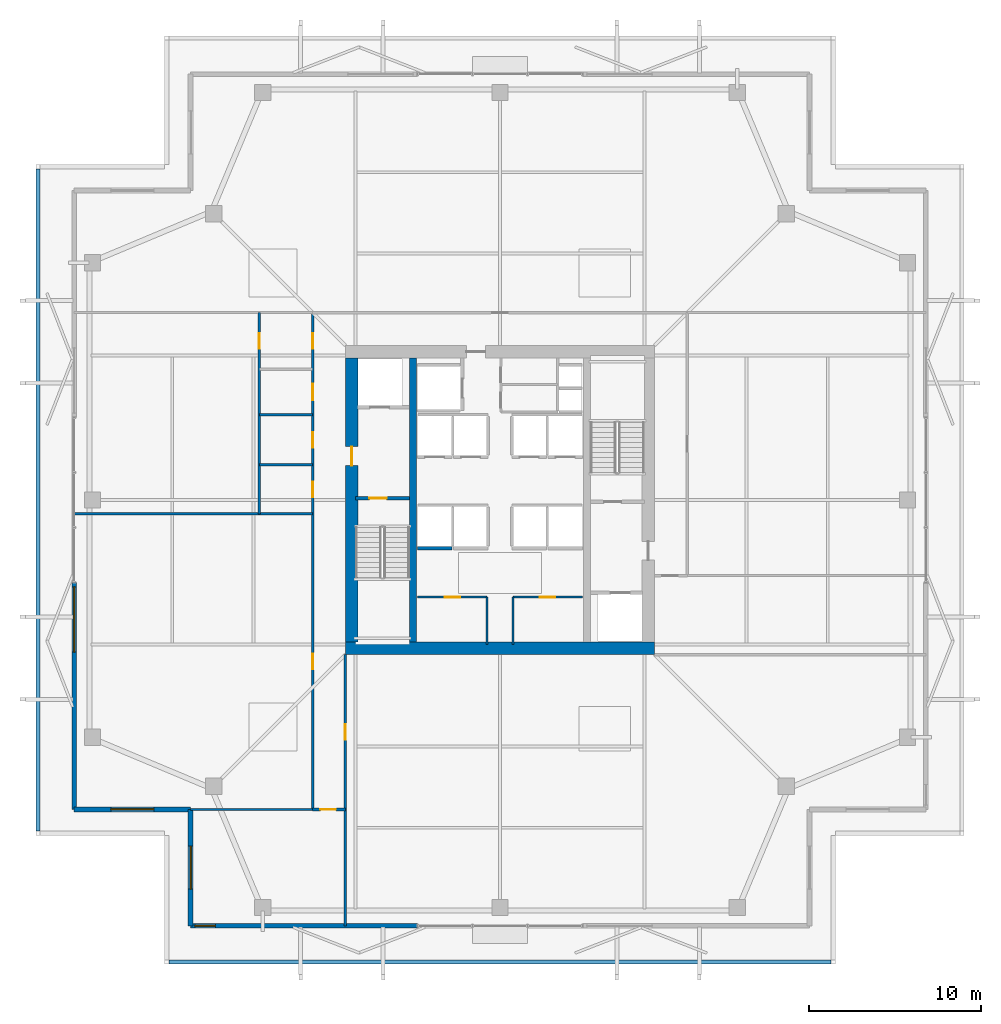
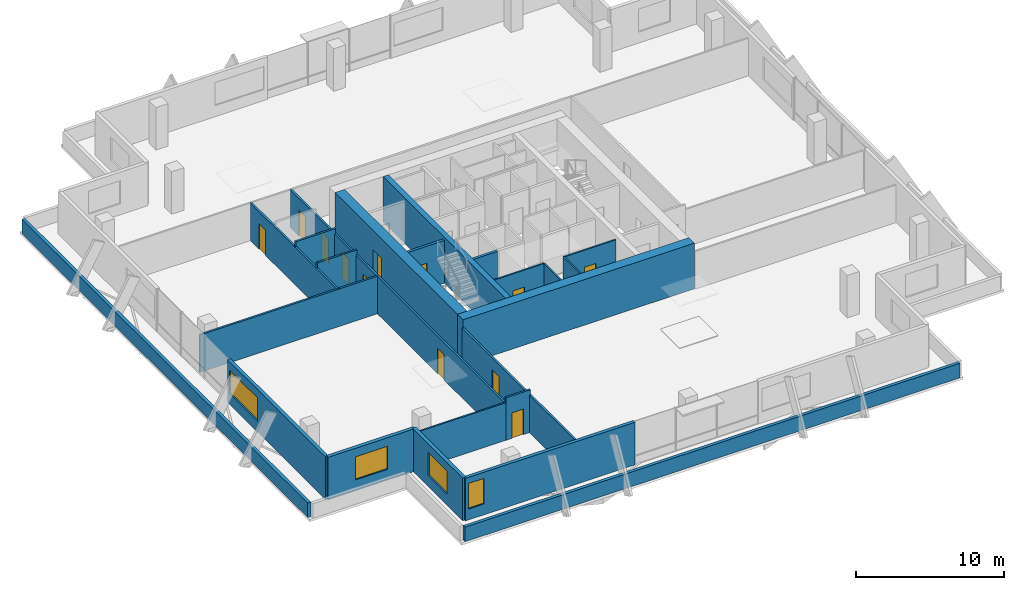
# One storey, part 12 of 17: 23 walls, 12 doors, 4 windows, 16 openings.
"""IFC4 building model written with IfcOpenShell, lengths in metres."""

from ifc_helpers import new_model, si_unit, direction, frame, frame_2d, origin, place, context, subcontext, project, spatial, rectangle, extrude, material, layer, layer_set, type_object, element, fill, save


model = new_model("IFC4")

# Units and contexts
model_context = context("Model", 3, precision=1e-05, world=origin(), true_north=direction((0.0, 1.0)))
body_context = subcontext(model_context, "Body", "Model", "MODEL_VIEW")
ifc_project = project(units=[si_unit("LENGTHUNIT", "METRE"), si_unit("AREAUNIT", "SQUARE_METRE"), si_unit("VOLUMEUNIT", "CUBIC_METRE"), si_unit("PLANEANGLEUNIT", "RADIAN"), si_unit("MASSUNIT", "GRAM", prefix="KILO")], contexts=[model_context])

# Site, building, storey
site_placement = place(None, origin())
site = spatial("IfcSite", under=ifc_project, at=site_placement, CompositionType="ELEMENT")
building_placement = place(site_placement, origin())
building = spatial("IfcBuilding", under=site, at=building_placement, Name="Belovzor Exchange Tower", CompositionType="ELEMENT")
storey_placement = place(building_placement, frame((0.0, 0.0, 246.60009765625)))
storey = spatial("IfcBuildingStorey", under=building, at=storey_placement, Name="L61", CompositionType="ELEMENT", Elevation=246.60009765625)

# Wall
ifc_material_1 = material(Name="Acoustic Plasterboard on Galvanised Studs", Category="gypsum")
ifc_layer_1 = layer(ifc_material_1, 0.1201171875)
ifc_layer_set_1 = layer_set([ifc_layer_1], Name="Acoustic Plasterboard on Galvanised Studs")
wall_type_1 = type_object("IfcWallType", Name="Acoustic Double-Stud Partition Wall 120", PredefinedType="PARTITIONING", material=ifc_layer_set_1)
wall_1_placement = place(storey_placement, frame((10.800048828125, 10.800048828125, 0.0), z_axis=(0.0, 0.0, 1.0), x_axis=(1.0, 0.0, 0.0)))
element("IfcWall", 1, at=wall_1_placement, inside=storey, type_object=wall_type_1, Name="W-P120 Partition Wall W-L61-SWS", PredefinedType="PARTITIONING", context=body_context, shape_type="SweptSolid", body=[
    extrude(rectangle(XDim=7.099853515625, YDim=0.1201171875, at=frame_2d((3.5498046875, 0.0))), origin(), (0.0, 0.0, 1.0), 3.0849609375),
])

# Wall, opening, door
ifc_material_2 = material(Name="Fire-Rated Plasterboard on Galvanised Studs", Category="gypsum")
ifc_layer_2 = layer(ifc_material_2, 0.1201171875)
ifc_layer_set_2 = layer_set([ifc_layer_2], Name="Fire-Rated Plasterboard on Galvanised Studs")
wall_type_2 = type_object("IfcWallType", Name="Fire-Rated Double-Stud Partition Wall 120", PredefinedType="PARTITIONING", material=ifc_layer_set_2)
wall_2_placement = place(storey_placement, frame((24.0, 23.14990234375, 0.0), z_axis=(0.0, 0.0, 1.0), x_axis=(1.0, 0.0, 0.0)))
wall_2 = element("IfcWall", 2, at=wall_2_placement, inside=storey, type_object=wall_type_2, Name="W-P120F Partition Wall W-CRL-L61-WN", PredefinedType="PARTITIONING", context=body_context, shape_type="SweptSolid", body=[
    extrude(rectangle(XDim=4.050048828125, YDim=0.1201171875, at=frame_2d((2.02490234375, 0.0))), origin(), (0.0, 0.0, 1.0), 3.5),
])
opening_1_placement = place(wall_2_placement, frame((1.574951171875, 0.0, 0.0)))
opening_1 = element("IfcOpeningElement", 3, at=opening_1_placement, cuts=wall_2, Name="Opening D-FD60-090", PredefinedType="OPENING", context=body_context, shape_type="SweptSolid", body=[
    extrude(rectangle(XDim=0.89990234375, YDim=2.10009765625, at=frame_2d((0.449951171875, 1.050048828125))), frame((0.0, 0.070068359375, 0.0), z_axis=(0.0, -1.0, 0.0), x_axis=(1.0, 0.0, 0.0)), (0.0, 0.0, 1.0), 0.14013671875),
])
ifc_material_3 = material(Name="Acoustic Timber Fire Leaf", Category="wood")
door_type_1 = type_object("IfcDoorType", Name="Core Service & Restroom Fire Door 900x2100", OperationType="NOTDEFINED", PredefinedType="DOOR", material=ifc_material_3)
door_1_placement = place(opening_1_placement, origin())
door_1 = element("IfcDoor", 4, at=door_1_placement, inside=storey, type_object=door_type_1, Name="D-FD60-090 Core Service & Restroom Fire Door 900x2100", OperationType="SINGLE_SWING_LEFT", OverallHeight=2.10009765625, OverallWidth=0.89990234375, PredefinedType="DOOR", context=body_context, shape_type="SweptSolid", body=[
    extrude(rectangle(XDim=0.89990234375, YDim=2.10009765625, at=frame_2d((0.449951171875, 1.050048828125))), frame((0.0, 0.02490234375, 0.0), z_axis=(0.0, -1.0, 0.0), x_axis=(1.0, 0.0, 0.0)), (0.0, 0.0, 1.0), 0.050048828125),
])
fill(opening_1, door_1)

# Wall
wall_3_placement = place(storey_placement, frame((28.050048828125, 20.39990234375, 0.0), z_axis=(0.0, 0.0, 1.0), x_axis=(0.0, 1.0, 0.0)))
element("IfcWall", 5, at=wall_3_placement, inside=storey, type_object=wall_type_2, Name="W-P120F Partition Wall W-CRL-L61-WE", PredefinedType="PARTITIONING", context=body_context, shape_type="SweptSolid", body=[
    extrude(rectangle(XDim=2.75, YDim=0.1201171875, at=frame_2d((1.375, 0.0))), origin(), (0.0, 0.0, 1.0), 3.5),
])

# Wall, opening, door
wall_4_placement = place(storey_placement, frame((29.550048828125, 23.14990234375, 0.0), z_axis=(0.0, 0.0, 1.0), x_axis=(1.0, 0.0, 0.0)))
wall_4 = element("IfcWall", 6, at=wall_4_placement, inside=storey, type_object=wall_type_2, Name="W-P120F Partition Wall W-CRL-L61-EN", PredefinedType="PARTITIONING", context=body_context, shape_type="SweptSolid", body=[
    extrude(rectangle(XDim=4.050048828125, YDim=0.1201171875, at=frame_2d((2.02490234375, 0.0))), origin(), (0.0, 0.0, 1.0), 3.5),
])
opening_2_placement = place(wall_4_placement, frame((1.574951171875, 0.0, 0.0)))
opening_2 = element("IfcOpeningElement", 7, at=opening_2_placement, cuts=wall_4, Name="Opening D-FD60-090", PredefinedType="OPENING", context=body_context, shape_type="SweptSolid", body=[
    extrude(rectangle(XDim=0.89990234375, YDim=2.10009765625, at=frame_2d((0.449951171875, 1.050048828125))), frame((0.0, 0.070068359375, 0.0), z_axis=(0.0, -1.0, 0.0), x_axis=(1.0, 0.0, 0.0)), (0.0, 0.0, 1.0), 0.14013671875),
])
door_2_placement = place(opening_2_placement, origin())
door_2 = element("IfcDoor", 8, at=door_2_placement, inside=storey, type_object=door_type_1, Name="D-FD60-090 Core Service & Restroom Fire Door 900x2100", OperationType="SINGLE_SWING_RIGHT", OverallHeight=2.10009765625, OverallWidth=0.89990234375, PredefinedType="DOOR", context=body_context, shape_type="SweptSolid", body=[
    extrude(rectangle(XDim=0.89990234375, YDim=2.10009765625, at=frame_2d((0.449951171875, 1.050048828125))), frame((0.0, 0.02490234375, 0.0), z_axis=(0.0, -1.0, 0.0), x_axis=(1.0, 0.0, 0.0)), (0.0, 0.0, 1.0), 0.050048828125),
])
fill(opening_2, door_2)

# Wall
wall_5_placement = place(storey_placement, frame((29.550048828125, 20.39990234375, 0.0), z_axis=(0.0, 0.0, 1.0), x_axis=(0.0, 1.0, 0.0)))
element("IfcWall", 9, at=wall_5_placement, inside=storey, type_object=wall_type_2, Name="W-P120F Partition Wall W-CRL-L61-EW", PredefinedType="PARTITIONING", context=body_context, shape_type="SweptSolid", body=[
    extrude(rectangle(XDim=2.75, YDim=0.1201171875, at=frame_2d((1.375, 0.0))), origin(), (0.0, 0.0, 1.0), 3.5),
])

# Wall, opening, door
ifc_material_4 = material(Name="Fire-Rated Gypsum Block and Mineral Wool", Category="gypsum")
ifc_layer_3 = layer(ifc_material_4, 0.14990234375)
ifc_layer_set_3 = layer_set([ifc_layer_3], Name="Fire-Rated Gypsum Block and Mineral Wool")
wall_type_3 = type_object("IfcWallType", Name="Fire-Rated Gypsum Block Corridor Wall 150", PredefinedType="PARTITIONING", material=ifc_layer_set_3)
wall_6_placement = place(storey_placement, frame((14.800048828125, 28.0, 0.0), z_axis=(0.0, 0.0, 1.0), x_axis=(0.0, 1.0, 0.0)))
wall_6 = element("IfcWall", 10, at=wall_6_placement, inside=storey, type_object=wall_type_3, Name="W-P150 Partition Wall W-L61-WCW", PredefinedType="PARTITIONING", context=body_context, shape_type="SweptSolid", body=[
    extrude(rectangle(XDim=11.699951171875, YDim=0.14990234375, at=frame_2d((5.85009765625, 0.0))), origin(), (0.0, 0.0, 1.0), 3.0849609375),
])
opening_3_placement = place(wall_6_placement, frame((9.60009765625, 0.0, 0.0)))
opening_3 = element("IfcOpeningElement", 11, at=opening_3_placement, cuts=wall_6, Name="Opening D-INT-090", PredefinedType="OPENING", context=body_context, shape_type="SweptSolid", body=[
    extrude(rectangle(XDim=0.89990234375, YDim=2.10009765625, at=frame_2d((0.449951171875, 1.050048828125))), frame((0.0, 0.0849609375, 0.0), z_axis=(0.0, -1.0, 0.0), x_axis=(1.0, 0.0, 0.0)), (0.0, 0.0, 1.0), 0.169921875),
])
ifc_material_5 = material(Name="Veneered Hardwood Acoustic Leaf", Category="wood")
door_type_2 = type_object("IfcDoorType", Name="Trading Suite Acoustic Single Door 900x2100", OperationType="NOTDEFINED", PredefinedType="DOOR", material=ifc_material_5)
door_3_placement = place(opening_3_placement, origin())
door_3 = element("IfcDoor", 12, at=door_3_placement, inside=storey, type_object=door_type_2, Name="D-INT-090 Trading Suite Acoustic Single Door 900x2100", OperationType="SINGLE_SWING_LEFT", OverallHeight=2.10009765625, OverallWidth=0.89990234375, PredefinedType="DOOR", context=body_context, shape_type="SweptSolid", body=[
    extrude(rectangle(XDim=0.89990234375, YDim=2.10009765625, at=frame_2d((0.449951171875, 1.050048828125))), frame((0.0, 0.02490234375, 0.0), z_axis=(0.0, -1.0, 0.0), x_axis=(1.0, 0.0, 0.0)), (0.0, 0.0, 1.0), 0.050048828125),
])
fill(opening_3, door_3)

# Walls
wall_7_placement = place(storey_placement, frame((4.030029296875, 28.0, 0.0), z_axis=(0.0, 0.0, 1.0), x_axis=(1.0, 0.0, 0.0)))
element("IfcWall", 13, at=wall_7_placement, inside=storey, type_object=wall_type_3, Name="W-P150 Partition Wall W-L61-WCS", PredefinedType="PARTITIONING", context=body_context, shape_type="SweptSolid", body=[
    extrude(rectangle(XDim=13.869873046875, YDim=0.14990234375, at=frame_2d((6.93505859375, 0.0))), origin(), (0.0, 0.0, 1.0), 3.0849609375),
])
for number, where, z_axis, x_axis, name in (
    (14, (14.800048828125, 30.85009765625, 0.0), (0.0, 0.0, 1.0), (1.0, 0.0, 0.0), "W-P150 Partition Wall W-L61-WCD1"),
    (15, (14.800048828125, 33.75, 0.0), (0.0, 0.0, 1.0), (1.0, 0.0, 0.0), "W-P150 Partition Wall W-L61-WCD2"),
):
    element("IfcWall", number, at=place(storey_placement, frame(where, z_axis=z_axis, x_axis=x_axis)), inside=storey, type_object=wall_type_3, Name=name, PredefinedType="PARTITIONING", context=body_context, shape_type="SweptSolid", body=[
        extrude(rectangle(XDim=3.099853515625, YDim=0.14990234375, at=frame_2d((1.5498046875, 0.0))), origin(), (0.0, 0.0, 1.0), 3.5),
    ])

# Wall, opening, door
wall_8_placement = place(storey_placement, frame((17.89990234375, 10.800048828125, 0.0), z_axis=(0.0, 0.0, 1.0), x_axis=(1.0, 0.0, 0.0)))
wall_8 = element("IfcWall", 16, at=wall_8_placement, inside=storey, type_object=wall_type_3, Name="W-P150 Partition Wall W-L61-CW-END", PredefinedType="PARTITIONING", context=body_context, shape_type="SweptSolid", body=[
    extrude(rectangle(XDim=1.900146484375, YDim=0.14990234375, at=frame_2d((0.9501953125, 0.0))), origin(), (0.0, 0.0, 1.0), 3.5),
])
opening_4_placement = place(wall_8_placement, frame((0.449951171875, 0.0, 0.0)))
opening_4 = element("IfcOpeningElement", 17, at=opening_4_placement, cuts=wall_8, Name="Opening D-FD60-090", PredefinedType="OPENING", context=body_context, shape_type="SweptSolid", body=[
    extrude(rectangle(XDim=0.89990234375, YDim=2.10009765625, at=frame_2d((0.449951171875, 1.050048828125))), frame((0.0, 0.0849609375, 0.0), z_axis=(0.0, -1.0, 0.0), x_axis=(1.0, 0.0, 0.0)), (0.0, 0.0, 1.0), 0.169921875),
])
door_4_placement = place(opening_4_placement, origin())
door_4 = element("IfcDoor", 18, at=door_4_placement, inside=storey, type_object=door_type_1, Name="D-FD60-090 Core Service & Restroom Fire Door 900x2100", OperationType="SINGLE_SWING_LEFT", OverallHeight=2.10009765625, OverallWidth=0.89990234375, PredefinedType="DOOR", context=body_context, shape_type="SweptSolid", body=[
    extrude(rectangle(XDim=0.89990234375, YDim=2.10009765625, at=frame_2d((0.449951171875, 1.050048828125))), frame((0.0, 0.02490234375, 0.0), z_axis=(0.0, -1.0, 0.0), x_axis=(1.0, 0.0, 0.0)), (0.0, 0.0, 1.0), 0.050048828125),
])
fill(opening_4, door_4)

wall_9_placement = place(storey_placement, frame((19.800048828125, 4.030029296875, 0.0), z_axis=(0.0, 0.0, 1.0), x_axis=(0.0, 1.0, 0.0)))
wall_9 = element("IfcWall", 19, at=wall_9_placement, inside=storey, type_object=wall_type_3, Name="W-P150 Partition Wall W-L61-CW-E", PredefinedType="PARTITIONING", context=body_context, shape_type="SweptSolid", body=[
    extrude(rectangle(XDim=15.77001953125, YDim=0.14990234375, at=frame_2d((7.885009765625, 0.0))), origin(), (0.0, 0.0, 1.0), 3.0849609375),
])
opening_5_placement = place(wall_9_placement, frame((10.820068359375, 0.0, 0.0)))
opening_5 = element("IfcOpeningElement", 20, at=opening_5_placement, cuts=wall_9, Name="Opening D-FD60-090", PredefinedType="OPENING", context=body_context, shape_type="SweptSolid", body=[
    extrude(rectangle(XDim=0.89990234375, YDim=2.10009765625, at=frame_2d((0.449951171875, 1.050048828125))), frame((0.0, 0.0849609375, 0.0), z_axis=(0.0, -1.0, 0.0), x_axis=(1.0, 0.0, 0.0)), (0.0, 0.0, 1.0), 0.169921875),
])
door_5_placement = place(opening_5_placement, origin())
door_5 = element("IfcDoor", 21, at=door_5_placement, inside=storey, type_object=door_type_1, Name="D-FD60-090 Core Service & Restroom Fire Door 900x2100", OperationType="SINGLE_SWING_RIGHT", OverallHeight=2.10009765625, OverallWidth=0.89990234375, PredefinedType="DOOR", context=body_context, shape_type="SweptSolid", body=[
    extrude(rectangle(XDim=0.89990234375, YDim=2.10009765625, at=frame_2d((0.449951171875, 1.050048828125))), frame((0.0, 0.02490234375, 0.0), z_axis=(0.0, -1.0, 0.0), x_axis=(1.0, 0.0, 0.0)), (0.0, 0.0, 1.0), 0.050048828125),
])
fill(opening_5, door_5)

# Wall, openings, doors
wall_10_placement = place(storey_placement, frame((17.89990234375, 10.800048828125, 0.0), z_axis=(0.0, 0.0, 1.0), x_axis=(0.0, 1.0, 0.0)))
wall_10 = element("IfcWall", 22, at=wall_10_placement, inside=storey, type_object=wall_type_3, Name="W-P150 Partition Wall W-L61-CW", PredefinedType="PARTITIONING", context=body_context, shape_type="SweptSolid", body=[
    extrude(rectangle(XDim=28.89990234375, YDim=0.14990234375, at=frame_2d((14.449951171875, 0.0))), origin(), (0.0, 0.0, 1.0), 3.0849609375),
])
opening_6_placement = place(wall_10_placement, frame((8.14990234375, 0.0, 0.0)))
opening_6 = element("IfcOpeningElement", 23, at=opening_6_placement, cuts=wall_10, Name="Opening D-INT-090", PredefinedType="OPENING", context=body_context, shape_type="SweptSolid", body=[
    extrude(rectangle(XDim=0.89990234375, YDim=2.10009765625, at=frame_2d((0.449951171875, 1.050048828125))), frame((0.0, 0.0849609375, 0.0), z_axis=(0.0, -1.0, 0.0), x_axis=(1.0, 0.0, 0.0)), (0.0, 0.0, 1.0), 0.169921875),
])
opening_7_placement = place(wall_10_placement, frame((18.14990234375, 0.0, 0.0)))
opening_7 = element("IfcOpeningElement", 24, at=opening_7_placement, cuts=wall_10, Name="Opening D-FD60-090", PredefinedType="OPENING", context=body_context, shape_type="SweptSolid", body=[
    extrude(rectangle(XDim=0.89990234375, YDim=2.10009765625, at=frame_2d((0.449951171875, 1.050048828125))), frame((0.0, 0.0849609375, 0.0), z_axis=(0.0, -1.0, 0.0), x_axis=(1.0, 0.0, 0.0)), (0.0, 0.0, 1.0), 0.169921875),
])
opening_8_placement = place(wall_10_placement, frame((21.050048828125, 0.0, 0.0)))
opening_8 = element("IfcOpeningElement", 25, at=opening_8_placement, cuts=wall_10, Name="Opening D-FD60-090", PredefinedType="OPENING", context=body_context, shape_type="SweptSolid", body=[
    extrude(rectangle(XDim=0.89990234375, YDim=2.10009765625, at=frame_2d((0.449951171875, 1.050048828125))), frame((0.0, 0.0849609375, 0.0), z_axis=(0.0, -1.0, 0.0), x_axis=(1.0, 0.0, 0.0)), (0.0, 0.0, 1.0), 0.169921875),
])
opening_9_placement = place(wall_10_placement, frame((23.800048828125, 0.0, 0.0)))
opening_9 = element("IfcOpeningElement", 26, at=opening_9_placement, cuts=wall_10, Name="Opening D-FD60-095", PredefinedType="OPENING", context=body_context, shape_type="SweptSolid", body=[
    extrude(rectangle(XDim=0.949951171875, YDim=2.10009765625, at=frame_2d((0.47509765625, 1.050048828125))), frame((0.0, 0.0849609375, 0.0), z_axis=(0.0, -1.0, 0.0), x_axis=(1.0, 0.0, 0.0)), (0.0, 0.0, 1.0), 0.169921875),
])
opening_10_placement = place(wall_10_placement, frame((26.800048828125, 0.0, 0.0)))
opening_10 = element("IfcOpeningElement", 27, at=opening_10_placement, cuts=wall_10, Name="Opening D-FD60-090", PredefinedType="OPENING", context=body_context, shape_type="SweptSolid", body=[
    extrude(rectangle(XDim=0.89990234375, YDim=2.10009765625, at=frame_2d((0.449951171875, 1.050048828125))), frame((0.0, 0.0849609375, 0.0), z_axis=(0.0, -1.0, 0.0), x_axis=(1.0, 0.0, 0.0)), (0.0, 0.0, 1.0), 0.169921875),
])
ifc_material_6 = material(Name="Moisture-Resistant Timber Fire Leaf", Category="wood")
door_type_3 = type_object("IfcDoorType", Name="Accessible Restroom Wide Fire Door 950x2100", OperationType="NOTDEFINED", PredefinedType="DOOR", material=ifc_material_6)
door_6_placement = place(opening_9_placement, origin())
door_6 = element("IfcDoor", 28, at=door_6_placement, inside=storey, type_object=door_type_3, Name="D-FD60-095 Accessible Restroom Wide Fire Door 950x2100", OperationType="SINGLE_SWING_LEFT", OverallHeight=2.10009765625, OverallWidth=0.949951171875, PredefinedType="DOOR", context=body_context, shape_type="SweptSolid", body=[
    extrude(rectangle(XDim=0.949951171875, YDim=2.10009765625, at=frame_2d((0.47509765625, 1.050048828125))), frame((0.0, 0.02490234375, 0.0), z_axis=(0.0, -1.0, 0.0), x_axis=(1.0, 0.0, 0.0)), (0.0, 0.0, 1.0), 0.050048828125),
])
fill(opening_9, door_6)
door_7_placement = place(opening_7_placement, origin())
door_7 = element("IfcDoor", 29, at=door_7_placement, inside=storey, type_object=door_type_1, Name="D-FD60-090 Core Service & Restroom Fire Door 900x2100", OperationType="SINGLE_SWING_LEFT", OverallHeight=2.10009765625, OverallWidth=0.89990234375, PredefinedType="DOOR", context=body_context, shape_type="SweptSolid", body=[
    extrude(rectangle(XDim=0.89990234375, YDim=2.10009765625, at=frame_2d((0.449951171875, 1.050048828125))), frame((0.0, 0.02490234375, 0.0), z_axis=(0.0, -1.0, 0.0), x_axis=(1.0, 0.0, 0.0)), (0.0, 0.0, 1.0), 0.050048828125),
])
fill(opening_7, door_7)
door_8_placement = place(opening_8_placement, origin())
door_8 = element("IfcDoor", 30, at=door_8_placement, inside=storey, type_object=door_type_1, Name="D-FD60-090 Core Service & Restroom Fire Door 900x2100", OperationType="SINGLE_SWING_RIGHT", OverallHeight=2.10009765625, OverallWidth=0.89990234375, PredefinedType="DOOR", context=body_context, shape_type="SweptSolid", body=[
    extrude(rectangle(XDim=0.89990234375, YDim=2.10009765625, at=frame_2d((0.449951171875, 1.050048828125))), frame((0.0, 0.02490234375, 0.0), z_axis=(0.0, -1.0, 0.0), x_axis=(1.0, 0.0, 0.0)), (0.0, 0.0, 1.0), 0.050048828125),
])
fill(opening_8, door_8)
door_9_placement = place(opening_10_placement, origin())
door_9 = element("IfcDoor", 31, at=door_9_placement, inside=storey, type_object=door_type_1, Name="D-FD60-090 Core Service & Restroom Fire Door 900x2100", OperationType="SINGLE_SWING_LEFT", OverallHeight=2.10009765625, OverallWidth=0.89990234375, PredefinedType="DOOR", context=body_context, shape_type="SweptSolid", body=[
    extrude(rectangle(XDim=0.89990234375, YDim=2.10009765625, at=frame_2d((0.449951171875, 1.050048828125))), frame((0.0, 0.02490234375, 0.0), z_axis=(0.0, -1.0, 0.0), x_axis=(1.0, 0.0, 0.0)), (0.0, 0.0, 1.0), 0.050048828125),
])
fill(opening_10, door_9)
door_10_placement = place(opening_6_placement, origin())
door_10 = element("IfcDoor", 32, at=door_10_placement, inside=storey, type_object=door_type_2, Name="D-INT-090 Trading Suite Acoustic Single Door 900x2100", OperationType="SINGLE_SWING_RIGHT", OverallHeight=2.10009765625, OverallWidth=0.89990234375, PredefinedType="DOOR", context=body_context, shape_type="SweptSolid", body=[
    extrude(rectangle(XDim=0.89990234375, YDim=2.10009765625, at=frame_2d((0.449951171875, 1.050048828125))), frame((0.0, 0.02490234375, 0.0), z_axis=(0.0, -1.0, 0.0), x_axis=(1.0, 0.0, 0.0)), (0.0, 0.0, 1.0), 0.050048828125),
])
fill(opening_6, door_10)

# Wall, opening, window
ifc_material_7 = material(Name="Precast concrete C40/50", Category="concrete")
ifc_layer_4 = layer(ifc_material_7, 0.280029296875)
ifc_layer_set_4 = layer_set([ifc_layer_4], Name="Precast concrete C40/50")
wall_type_4 = type_object("IfcWallType", Name="Precast Concrete Notched Corner Frame Wall 280", PredefinedType="SOLIDWALL", material=ifc_layer_set_4)
wall_11_placement = place(storey_placement, frame((10.800048828125, 4.030029296875, 0.0), z_axis=(0.0, 0.0, 1.0), x_axis=(0.0, 1.0, 0.0)))
wall_11 = element("IfcWall", 33, at=wall_11_placement, inside=storey, type_object=wall_type_4, Name="W-CRN280 Precast Concrete Notched Corner Frame Wall 280 L61", PredefinedType="SOLIDWALL", context=body_context, shape_type="SweptSolid", body=[
    extrude(rectangle(XDim=6.77001953125, YDim=0.280029296875, at=frame_2d((3.385009765625, 0.0))), origin(), (0.0, 0.0, 1.0), 3.5),
])
opening_11_placement = place(wall_11_placement, frame((2.135009765625, 0.0, 0.89990234375)))
opening_11 = element("IfcOpeningElement", 34, at=opening_11_placement, cuts=wall_11, Name="Opening WN-CRN250", PredefinedType="OPENING", context=body_context, shape_type="SweptSolid", body=[
    extrude(rectangle(XDim=2.5, YDim=1.89990234375, at=frame_2d((1.25, 0.949951171875))), frame((0.0, 0.14990234375, 0.0), z_axis=(0.0, -1.0, 0.0), x_axis=(1.0, 0.0, 0.0)), (0.0, 0.0, 1.0), 0.300048828125),
])
ifc_material_8 = material(Name="Thermally Broken Aluminium and Triple Glazing", Category="aluminium")
window_type_1 = type_object("IfcWindowType", Name="Streamline Moderne Corner Wrap Ribbon Window 2500x1900", PartitioningType="SINGLE_PANEL", PredefinedType="WINDOW", material=ifc_material_8)
window_1_placement = place(opening_11_placement, origin())
window_1 = element("IfcWindow", 35, at=window_1_placement, inside=storey, type_object=window_type_1, Name="WN-CRN250 Streamline Moderne Corner Wrap Ribbon Window 2500x1900", OverallHeight=1.89990234375, OverallWidth=2.5, PartitioningType="SINGLE_PANEL", PredefinedType="WINDOW", context=body_context, shape_type="SweptSolid", body=[
    extrude(rectangle(XDim=2.5, YDim=1.89990234375, at=frame_2d((1.25, 0.949951171875))), frame((0.0, 0.030029296875, 0.0), z_axis=(0.0, -1.0, 0.0), x_axis=(1.0, 0.0, 0.0)), (0.0, 0.0, 1.0), 0.06005859375),
])
fill(opening_11, window_1)

wall_12_placement = place(storey_placement, frame((10.800048828125, 10.800048828125, 0.0), z_axis=(0.0, 0.0, 1.0), x_axis=(-1.0, 0.0, 0.0)))
wall_12 = element("IfcWall", 36, at=wall_12_placement, inside=storey, type_object=wall_type_4, Name="W-CRN280 Precast Concrete Notched Corner Frame Wall 280 L61", PredefinedType="SOLIDWALL", context=body_context, shape_type="SweptSolid", body=[
    extrude(rectangle(XDim=6.77001953125, YDim=0.280029296875, at=frame_2d((3.385009765625, 0.0))), origin(), (0.0, 0.0, 1.0), 3.5),
])
opening_12_placement = place(wall_12_placement, frame((2.135009765625, 0.0, 0.89990234375)))
opening_12 = element("IfcOpeningElement", 37, at=opening_12_placement, cuts=wall_12, Name="Opening WN-CRN250", PredefinedType="OPENING", context=body_context, shape_type="SweptSolid", body=[
    extrude(rectangle(XDim=2.5, YDim=1.89990234375, at=frame_2d((1.25, 0.949951171875))), frame((0.0, 0.14990234375, 0.0), z_axis=(0.0, -1.0, 0.0), x_axis=(1.0, 0.0, 0.0)), (0.0, 0.0, 1.0), 0.300048828125),
])
window_2_placement = place(opening_12_placement, origin())
window_2 = element("IfcWindow", 38, at=window_2_placement, inside=storey, type_object=window_type_1, Name="WN-CRN250 Streamline Moderne Corner Wrap Ribbon Window 2500x1900", OverallHeight=1.89990234375, OverallWidth=2.5, PartitioningType="SINGLE_PANEL", PredefinedType="WINDOW", context=body_context, shape_type="SweptSolid", body=[
    extrude(rectangle(XDim=2.5, YDim=1.89990234375, at=frame_2d((1.25, 0.949951171875))), frame((0.0, 0.030029296875, 0.0), z_axis=(0.0, -1.0, 0.0), x_axis=(1.0, 0.0, 0.0)), (0.0, 0.0, 1.0), 0.06005859375),
])
fill(opening_12, window_2)

ifc_material_9 = material(Name="Precast concrete C40/50", Category="concrete")
ifc_layer_5 = layer(ifc_material_9, 0.260009765625)
ifc_layer_set_5 = layer_set([ifc_layer_5], Name="Precast concrete C40/50")
wall_type_5 = type_object("IfcWallType", Name="Precast Concrete Perimeter Loggia Frame Wall 260", PredefinedType="SOLIDWALL", material=ifc_layer_set_5)
wall_13_placement = place(storey_placement, frame((24.0, 4.030029296875, 0.0), z_axis=(0.0, 0.0, 1.0), x_axis=(-1.0, 0.0, 0.0)))
wall_13 = element("IfcWall", 39, at=wall_13_placement, inside=storey, type_object=wall_type_5, Name="W-EXT260 Precast Concrete Perimeter Loggia Frame Wall 260 L61", PredefinedType="SOLIDWALL", context=body_context, shape_type="SweptSolid", body=[
    extrude(rectangle(XDim=13.199951171875, YDim=0.260009765625, at=frame_2d((6.60009765625, 0.0))), origin(), (0.0, 0.0, 1.0), 3.5),
])
opening_13_placement = place(wall_13_placement, frame((11.75, 0.0, 0.89990234375)))
opening_13 = element("IfcOpeningElement", 40, at=opening_13_placement, cuts=wall_13, Name="Opening WN-CRN120", PredefinedType="OPENING", context=body_context, shape_type="SweptSolid", body=[
    extrude(rectangle(XDim=1.199951171875, YDim=2.10009765625, at=frame_2d((0.60009765625, 1.050048828125))), frame((0.0, 0.139892578125, 0.0), z_axis=(0.0, -1.0, 0.0), x_axis=(1.0, 0.0, 0.0)), (0.0, 0.0, 1.0), 0.280029296875),
])
ifc_material_10 = material(Name="Thermally Broken Aluminium and Triple Glazing", Category="aluminium")
window_type_2 = type_object("IfcWindowType", Name="Streamline Notched Corner Window 1200x2100", PartitioningType="SINGLE_PANEL", PredefinedType="WINDOW", material=ifc_material_10)
window_3_placement = place(opening_13_placement, origin())
window_3 = element("IfcWindow", 41, at=window_3_placement, inside=storey, type_object=window_type_2, Name="WN-CRN120 Streamline Notched Corner Window 1200x2100", OverallHeight=2.10009765625, OverallWidth=1.199951171875, PartitioningType="SINGLE_PANEL", PredefinedType="WINDOW", context=body_context, shape_type="SweptSolid", body=[
    extrude(rectangle(XDim=1.199951171875, YDim=2.10009765625, at=frame_2d((0.60009765625, 1.050048828125))), frame((0.0, 0.030029296875, 0.0), z_axis=(0.0, -1.0, 0.0), x_axis=(1.0, 0.0, 0.0)), (0.0, 0.0, 1.0), 0.06005859375),
])
fill(opening_13, window_3)

wall_14_placement = place(storey_placement, frame((4.030029296875, 10.800048828125, 0.0), z_axis=(0.0, 0.0, 1.0), x_axis=(0.0, 1.0, 0.0)))
wall_14 = element("IfcWall", 42, at=wall_14_placement, inside=storey, type_object=wall_type_5, Name="W-EXT260 Precast Concrete Perimeter Loggia Frame Wall 260 L61", PredefinedType="SOLIDWALL", context=body_context, shape_type="SweptSolid", body=[
    extrude(rectangle(XDim=13.199951171875, YDim=0.260009765625, at=frame_2d((6.60009765625, 0.0))), origin(), (0.0, 0.0, 1.0), 3.5),
])
opening_14_placement = place(wall_14_placement, frame((9.14990234375, 0.0, 0.89990234375)))
opening_14 = element("IfcOpeningElement", 43, at=opening_14_placement, cuts=wall_14, Name="Opening WN-RIB380", PredefinedType="OPENING", context=body_context, shape_type="SweptSolid", body=[
    extrude(rectangle(XDim=3.800048828125, YDim=1.89990234375, at=frame_2d((1.89990234375, 0.949951171875))), frame((0.0, 0.139892578125, 0.0), z_axis=(0.0, -1.0, 0.0), x_axis=(1.0, 0.0, 0.0)), (0.0, 0.0, 1.0), 0.280029296875),
])
ifc_material_11 = material(Name="Thermally Broken Aluminium and Triple Glazing", Category="aluminium")
window_type_3 = type_object("IfcWindowType", Name="Streamline Moderne Horizontal Ribbon Window 3800x1900", PartitioningType="SINGLE_PANEL", PredefinedType="WINDOW", material=ifc_material_11)
window_4_placement = place(opening_14_placement, origin())
window_4 = element("IfcWindow", 44, at=window_4_placement, inside=storey, type_object=window_type_3, Name="WN-RIB380 Streamline Moderne Horizontal Ribbon Window 3800x1900", OverallHeight=1.89990234375, OverallWidth=3.800048828125, PartitioningType="SINGLE_PANEL", PredefinedType="WINDOW", context=body_context, shape_type="SweptSolid", body=[
    extrude(rectangle(XDim=3.800048828125, YDim=1.89990234375, at=frame_2d((1.89990234375, 0.949951171875))), frame((0.0, 0.030029296875, 0.0), z_axis=(0.0, -1.0, 0.0), x_axis=(1.0, 0.0, 0.0)), (0.0, 0.0, 1.0), 0.06005859375),
])
fill(opening_14, window_4)

# Walls
ifc_material_12 = material(Name="Precast concrete C40/50", Category="concrete")
ifc_layer_6 = layer(ifc_material_12, 0.239990234375)
ifc_layer_set_6 = layer_set([ifc_layer_6], Name="Precast concrete C40/50")
wall_type_6 = type_object("IfcWallType", Name="Precast Stone Setback Roof Parapet Wall 240", PredefinedType="PARAPET", material=ifc_layer_set_6)
for number, where, z_axis, x_axis, name in (
    (45, (9.554931640625, 1.919921875, 0.0), (0.0, 0.0, 1.0), (1.0, 0.0, 0.0), "W-PAR240 Precast Stone Setback Roof Parapet Wall 240 L61"),
    (46, (1.919921875, 48.044921875, 0.0), (0.0, 0.0, 1.0), (0.0, -1.0, 0.0), "W-PAR240 Precast Stone Setback Roof Parapet Wall 240 L61"),
):
    element("IfcWall", number, at=place(storey_placement, frame(where, z_axis=z_axis, x_axis=x_axis)), inside=storey, type_object=wall_type_6, Name=name, PredefinedType="PARAPET", context=body_context, shape_type="SweptSolid", body=[
        extrude(rectangle(XDim=38.489990234375, YDim=0.239990234375, at=frame_2d((19.2451171875, 0.0))), origin(), (0.0, 0.0, 1.0), 1.199951171875),
    ])
ifc_material_13 = material(Name="Concrete C50/60", Category="concrete")
ifc_layer_7 = layer(ifc_material_13, 0.39990234375)
ifc_layer_set_7 = layer_set([ifc_layer_7], Name="Concrete C50/60")
wall_type_7 = type_object("IfcWallType", Name="Reinforced Concrete Core Internal Web Wall 400", PredefinedType="SHEAR", material=ifc_layer_set_7)
wall_15_placement = place(storey_placement, frame((23.75, 20.550048828125, 0.0), z_axis=(0.0, 0.0, 1.0), x_axis=(0.0, 1.0, 0.0)))
element("IfcWall", 47, at=wall_15_placement, inside=storey, type_object=wall_type_7, Name="CW-W040 Core Internal Web Wall L61 WL", PredefinedType="SHEAR", context=body_context, shape_type="SweptSolid", body=[
    extrude(rectangle(XDim=16.5, YDim=0.39990234375, at=frame_2d((8.25, 0.0))), origin(), (0.0, 0.0, 1.0), 3.75),
])

# Wall, opening, door
ifc_material_14 = material(Name="Concrete C50/60", Category="concrete")
ifc_layer_8 = layer(ifc_material_14, 0.199951171875)
ifc_layer_set_8 = layer_set([ifc_layer_8], Name="Concrete C50/60")
wall_type_8 = type_object("IfcWallType", Name="Reinforced Concrete Core Shaft Shear Wall 200", PredefinedType="SHEAR", material=ifc_layer_set_8)
wall_16_placement = place(storey_placement, frame((20.39990234375, 28.89990234375, 0.0), z_axis=(0.0, 0.0, 1.0), x_axis=(1.0, 0.0, 0.0)))
wall_16 = element("IfcWall", 48, at=wall_16_placement, inside=storey, type_object=wall_type_8, Name="W-C200S Core Shaft Wall W-CORE-L61-FFLW1", PredefinedType="SHEAR", context=body_context, shape_type="SweptSolid", body=[
    extrude(rectangle(XDim=3.150146484375, YDim=0.199951171875, at=frame_2d((1.5751953125, 0.0))), origin(), (0.0, 0.0, 1.0), 3.5),
])
opening_15_placement = place(wall_16_placement, frame((0.800048828125, 0.0, 0.0)))
opening_15 = element("IfcOpeningElement", 49, at=opening_15_placement, cuts=wall_16, Name="Opening D-FD90-100", PredefinedType="OPENING", context=body_context, shape_type="SweptSolid", body=[
    extrude(rectangle(XDim=1.0, YDim=2.10009765625, at=frame_2d((0.5, 1.050048828125))), frame((0.0, 0.10986328125, 0.0), z_axis=(0.0, -1.0, 0.0), x_axis=(1.0, 0.0, 0.0)), (0.0, 0.0, 1.0), 0.219970703125),
])
ifc_material_15 = material(Name="Fire-Rated Galvanised Steel Leaf", Category="steel")
door_type_4 = type_object("IfcDoorType", Name="Protected Stairwell Single Fire Door 1000x2100", OperationType="NOTDEFINED", PredefinedType="DOOR", material=ifc_material_15)
door_11_placement = place(opening_15_placement, origin())
door_11 = element("IfcDoor", 50, at=door_11_placement, inside=storey, type_object=door_type_4, Name="D-FD90-100 Protected Stairwell Single Fire Door 1000x2100", OperationType="SINGLE_SWING_RIGHT", OverallHeight=2.10009765625, OverallWidth=1.0, PredefinedType="DOOR", context=body_context, shape_type="SweptSolid", body=[
    extrude(rectangle(XDim=1.0, YDim=2.10009765625, at=frame_2d((0.5, 1.050048828125))), frame((0.0, 0.02490234375, 0.0), z_axis=(0.0, -1.0, 0.0), x_axis=(1.0, 0.0, 0.0)), (0.0, 0.0, 1.0), 0.050048828125),
])
fill(opening_15, door_11)

# Walls
wall_17_placement = place(storey_placement, frame((24.0, 26.0, 0.0), z_axis=(0.0, 0.0, 1.0), x_axis=(1.0, 0.0, 0.0)))
element("IfcWall", 51, at=wall_17_placement, inside=storey, type_object=wall_type_8, Name="W-C200S Core Shaft Wall W-SH-L61-PL-M1", PredefinedType="SHEAR", context=body_context, shape_type="SweptSolid", body=[
    extrude(rectangle(XDim=2.0, YDim=0.199951171875, at=frame_2d((1.0, 0.0))), origin(), (0.0, 0.0, 1.0), 3.5),
])
ifc_material_16 = material(Name="Concrete C50/60", Category="concrete")
ifc_layer_9 = layer(ifc_material_16, 0.75)
ifc_layer_set_9 = layer_set([ifc_layer_9], Name="Concrete C50/60")
wall_type_9 = type_object("IfcWallType", Name="Reinforced Concrete Core Shear Wall 750", PredefinedType="SHEAR", material=ifc_layer_set_9)
wall_18_placement = place(storey_placement, frame((19.800048828125, 20.175048828125, 0.0), z_axis=(0.0, 0.0, 1.0), x_axis=(1.0, 0.0, 0.0)))
element("IfcWall", 52, at=wall_18_placement, inside=storey, type_object=wall_type_9, Name="CW-S075 Core Shear Wall L61 S", PredefinedType="SHEAR", context=body_context, shape_type="SweptSolid", body=[
    extrude(rectangle(XDim=18.0, YDim=0.75, at=frame_2d((9.0, 0.0))), origin(), (0.0, 0.0, 1.0), 3.75),
])

# Wall, opening, door
wall_19_placement = place(storey_placement, frame((20.175048828125, 20.550048828125, 0.0), z_axis=(0.0, 0.0, 1.0), x_axis=(0.0, 1.0, 0.0)))
wall_19 = element("IfcWall", 53, at=wall_19_placement, inside=storey, type_object=wall_type_9, Name="CW-S075 Core Shear Wall L61 W", PredefinedType="SHEAR", context=body_context, shape_type="SweptSolid", body=[
    extrude(rectangle(XDim=16.5, YDim=0.75, at=frame_2d((8.25, 0.0))), origin(), (0.0, 0.0, 1.0), 3.75),
])
opening_16_placement = place(wall_19_placement, frame((10.25, 0.0, 0.0)))
opening_16 = element("IfcOpeningElement", 54, at=opening_16_placement, cuts=wall_19, Name="Opening D-FD90-110", PredefinedType="OPENING", context=body_context, shape_type="SweptSolid", body=[
    extrude(rectangle(XDim=1.10009765625, YDim=2.14990234375, at=frame_2d((0.550048828125, 1.074951171875))), frame((0.0, 0.385009765625, 0.0), z_axis=(0.0, -1.0, 0.0), x_axis=(1.0, 0.0, 0.0)), (0.0, 0.0, 1.0), 0.77001953125),
])
ifc_material_17 = material(Name="Fire-Rated Galvanised Steel Leaf", Category="steel")
door_type_5 = type_object("IfcDoorType", Name="Protected Escape Vestibule Fire Door 1100x2150", OperationType="NOTDEFINED", PredefinedType="DOOR", material=ifc_material_17)
door_12_placement = place(opening_16_placement, origin())
door_12 = element("IfcDoor", 55, at=door_12_placement, inside=storey, type_object=door_type_5, Name="D-FD90-110 Protected Escape Vestibule Fire Door 1100x2150", OperationType="SINGLE_SWING_LEFT", OverallHeight=2.14990234375, OverallWidth=1.10009765625, PredefinedType="DOOR", context=body_context, shape_type="SweptSolid", body=[
    extrude(rectangle(XDim=1.10009765625, YDim=2.14990234375, at=frame_2d((0.550048828125, 1.074951171875))), frame((0.0, 0.02490234375, 0.0), z_axis=(0.0, -1.0, 0.0), x_axis=(1.0, 0.0, 0.0)), (0.0, 0.0, 1.0), 0.050048828125),
])
fill(opening_16, door_12)

save(model, "model.ifc")
